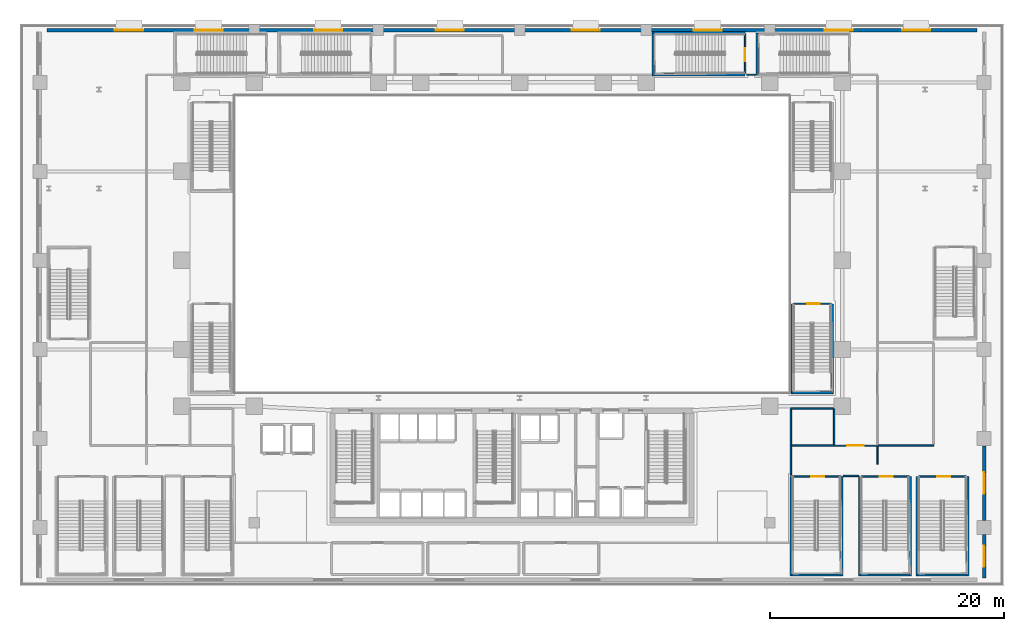
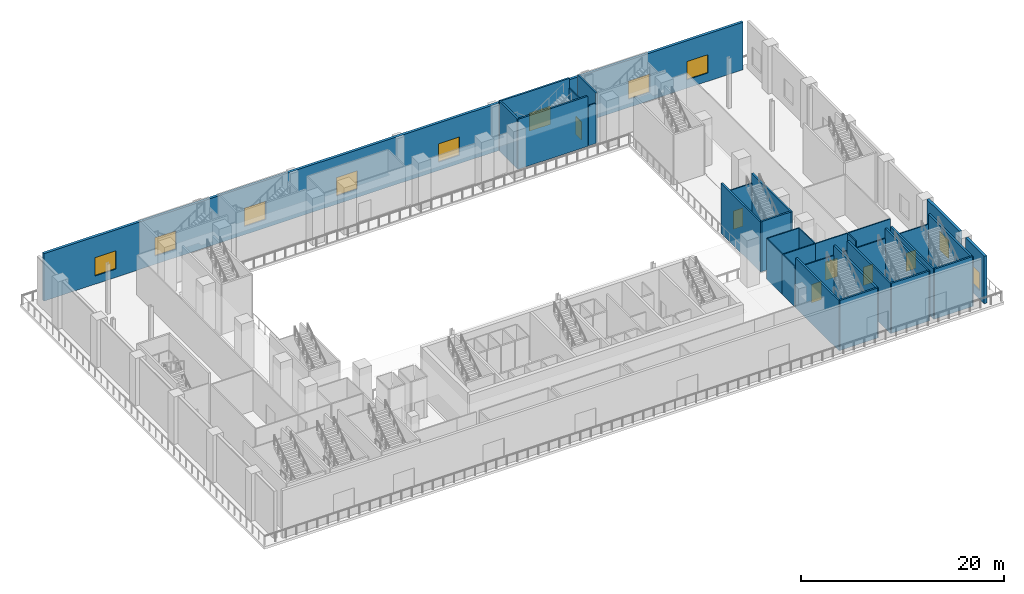
# One storey, part 11 of 29: 34 walls, 10 windows, 6 doors, 16 openings.
"""IFC4 building model written with IfcOpenShell, lengths in metres."""

from ifc_helpers import new_model, si_unit, direction, frame, frame_2d, origin, place, context, subcontext, project, spatial, rectangle, extrude, material, layer, layer_set, type_object, element, fill, save


model = new_model("IFC4")

# Units and contexts
model_context = context("Model", 3, precision=1e-05, world=origin(), true_north=direction((0.0, 1.0)))
body_context = subcontext(model_context, "Body", "Model", "MODEL_VIEW")
ifc_project = project(units=[si_unit("LENGTHUNIT", "METRE"), si_unit("AREAUNIT", "SQUARE_METRE"), si_unit("VOLUMEUNIT", "CUBIC_METRE"), si_unit("PLANEANGLEUNIT", "RADIAN"), si_unit("MASSUNIT", "GRAM", prefix="KILO")], contexts=[model_context])

# Site, building, storey
site_placement = place(None, origin())
site = spatial("IfcSite", under=ifc_project, at=site_placement, CompositionType="ELEMENT")
building_placement = place(site_placement, origin())
building = spatial("IfcBuilding", under=site, at=building_placement, Name="Ndaravel Arena Tower", CompositionType="ELEMENT")
storey_placement = place(building_placement, frame((0.0, 0.0, 12.0)))
storey = spatial("IfcBuildingStorey", under=building, at=storey_placement, Name="L02", CompositionType="ELEMENT", Elevation=12.0)

# Wall
ifc_material_1 = material(Name="Gypsum", Category="gypsum")
ifc_layer_1 = layer(ifc_material_1, 0.125)
ifc_layer_set_1 = layer_set([ifc_layer_1], Name="Gypsum")
wall_type_1 = type_object("IfcWallType", Name="WALL-PART-125", PredefinedType="PARTITIONING", material=ifc_layer_set_1)
wall_1_placement = place(storey_placement, frame((62.02001953125, 43.64990234375, 0.0), z_axis=(0.0, 0.0, 1.0), x_axis=(1.0, 0.0, 0.0)))
element("IfcWall", 1, at=wall_1_placement, inside=storey, type_object=wall_type_1, Name="L02 Interior Partition 020", PredefinedType="PARTITIONING", context=body_context, shape_type="SweptSolid", body=[
    extrude(rectangle(XDim=0.81005859375, YDim=0.125, at=frame_2d((0.405029296875, 0.0))), origin(), (0.0, 0.0, 1.0), 4.819091796875),
])

# Wall, opening, door
wall_2_placement = place(storey_placement, frame((73.135009765625, 12.0, 0.0), z_axis=(0.0, 0.0, 1.0), x_axis=(-1.0, 0.0, 0.0)))
wall_2 = element("IfcWall", 2, at=wall_2_placement, inside=storey, type_object=wall_type_1, Name="L02 Interior Partition 024", PredefinedType="PARTITIONING", context=body_context, shape_type="SweptSolid", body=[
    extrude(rectangle(XDim=3.635009765625, YDim=0.125, at=frame_2d((1.8173828125, 0.0))), origin(), (0.0, 0.0, 1.0), 4.819091796875),
])
opening_1_placement = place(wall_2_placement, frame((1.117431640625, 0.0, 0.0)))
opening_1 = element("IfcOpeningElement", 3, at=opening_1_placement, cuts=wall_2, Name="Opening ID-02", PredefinedType="OPENING", context=body_context, shape_type="SweptSolid", body=[
    extrude(rectangle(XDim=1.39990234375, YDim=2.199951171875, at=frame_2d((0.699951171875, 1.10009765625))), frame((0.0, 0.0625, 0.0), z_axis=(0.0, -1.0, 0.0), x_axis=(1.0, 0.0, 0.0)), (0.0, 0.0, 1.0), 0.125),
])
ifc_material_2 = material(Name="Timber", Category="wood")
door_type_1 = type_object("IfcDoorType", Name="DT-04-SUITE-1400", OperationType="DOUBLE_DOOR_SINGLE_SWING", PredefinedType="DOOR", material=ifc_material_2)
door_1_placement = place(opening_1_placement, origin())
door_1 = element("IfcDoor", 4, at=door_1_placement, inside=storey, type_object=door_type_1, Name="L02 Media Workroom & Press Conference Auditorium Door", OperationType="SINGLE_SWING_LEFT", OverallHeight=2.199951171875, OverallWidth=1.39990234375, PredefinedType="DOOR", context=body_context, shape_type="SweptSolid", body=[
    extrude(rectangle(XDim=1.39990234375, YDim=2.199951171875, at=frame_2d((0.699951171875, 1.10009765625))), frame((0.0, 0.02490234375, 0.0), z_axis=(0.0, -1.0, 0.0), x_axis=(1.0, 0.0, 0.0)), (0.0, 0.0, 1.0), 0.050048828125),
])
fill(opening_1, door_1)

# Walls
wall_3_placement = place(storey_placement, frame((69.5, 12.06494140625, 0.0), z_axis=(0.0, 0.0, 1.0), x_axis=(0.0, 1.0, 0.0)))
element("IfcWall", 5, at=wall_3_placement, inside=storey, type_object=wall_type_1, Name="L02 Interior Partition 025", PredefinedType="PARTITIONING", context=body_context, shape_type="SweptSolid", body=[
    extrude(rectangle(XDim=3.0849609375, YDim=0.125, at=frame_2d((1.54248046875, 0.0))), origin(), (0.0, 0.0, 1.0), 4.819091796875),
])
wall_4_placement = place(storey_placement, frame((69.43505859375, 15.14990234375, 0.0), z_axis=(0.0, 0.0, 1.0), x_axis=(-1.0, 0.0, 0.0)))
element("IfcWall", 6, at=wall_4_placement, inside=storey, type_object=wall_type_1, Name="L02 Interior Partition 026", PredefinedType="PARTITIONING", context=body_context, shape_type="SweptSolid", body=[
    extrude(rectangle(XDim=3.635009765625, YDim=0.125, at=frame_2d((1.8173828125, 0.0))), origin(), (0.0, 0.0, 1.0), 4.819091796875),
])
wall_5_placement = place(storey_placement, frame((65.800048828125, 15.0849609375, 0.0), z_axis=(0.0, 0.0, 1.0), x_axis=(0.0, -1.0, 0.0)))
element("IfcWall", 7, at=wall_5_placement, inside=storey, type_object=wall_type_1, Name="L02 Interior Partition 027", PredefinedType="PARTITIONING", context=body_context, shape_type="SweptSolid", body=[
    extrude(rectangle(XDim=3.0849609375, YDim=0.125, at=frame_2d((1.54248046875, 0.0))), origin(), (0.0, 0.0, 1.0), 4.819091796875),
])
wall_6_placement = place(storey_placement, frame((65.800048828125, 12.0, 0.0), z_axis=(0.0, 0.0, 1.0), x_axis=(0.0, -1.0, 0.0)))
element("IfcWall", 8, at=wall_6_placement, inside=storey, type_object=wall_type_1, Name="L02 Interior Partition 028", PredefinedType="PARTITIONING", context=body_context, shape_type="SweptSolid", body=[
    extrude(rectangle(XDim=2.530029296875, YDim=0.125, at=frame_2d((1.26513671875, 0.0))), origin(), (0.0, 0.0, 1.0), 4.819091796875),
])
wall_7_placement = place(storey_placement, frame((78.0, 12.0, 0.0), z_axis=(0.0, 0.0, 1.0), x_axis=(-1.0, 0.0, 0.0)))
element("IfcWall", 9, at=wall_7_placement, inside=storey, type_object=wall_type_1, Name="L02 Interior Partition 036", PredefinedType="PARTITIONING", context=body_context, shape_type="SweptSolid", body=[
    extrude(rectangle(XDim=4.735107421875, YDim=0.125, at=frame_2d((2.36767578125, 0.0))), origin(), (0.0, 0.0, 1.0), 4.819091796875),
])
wall_8_placement = place(storey_placement, frame((71.580078125, 9.39990234375, 0.0), z_axis=(0.0, 0.0, 1.0), x_axis=(-1.0, 0.0, 0.0)))
element("IfcWall", 10, at=wall_8_placement, inside=storey, type_object=wall_type_1, Name="L02 Interior Partition 042", PredefinedType="PARTITIONING", context=body_context, shape_type="SweptSolid", body=[
    extrude(rectangle(XDim=1.31005859375, YDim=0.125, at=frame_2d((0.655029296875, 0.0))), origin(), (0.0, 0.0, 1.0), 4.819091796875),
])
wall_9_placement = place(storey_placement, frame((65.864990234375, 12.0, 0.0), z_axis=(0.0, 0.0, 1.0), x_axis=(1.0, 0.0, 0.0)))
element("IfcWall", 11, at=wall_9_placement, inside=storey, type_object=wall_type_1, Name="L02 Interior Partition 043", PredefinedType="PARTITIONING", context=body_context, shape_type="SweptSolid", body=[
    extrude(rectangle(XDim=3.635009765625, YDim=0.125, at=frame_2d((1.8173828125, 0.0))), origin(), (0.0, 0.0, 1.0), 4.819091796875),
])
wall_10_placement = place(storey_placement, frame((73.199951171875, 12.0, 0.0), z_axis=(0.0, 0.0, 1.0), x_axis=(0.0, -1.0, 0.0)))
element("IfcWall", 12, at=wall_10_placement, inside=storey, type_object=wall_type_1, Name="L02 Interior Partition 044", PredefinedType="PARTITIONING", context=body_context, shape_type="SweptSolid", body=[
    extrude(rectangle(XDim=1.60009765625, YDim=0.125, at=frame_2d((0.800048828125, 0.0))), origin(), (0.0, 0.0, 1.0), 4.819091796875),
])

# Wall, openings, windows
ifc_material_3 = material(Name="Masonry", Category="masonry")
ifc_layer_2 = layer(ifc_material_3, 0.300048828125)
ifc_layer_set_2 = layer_set([ifc_layer_2], Name="Masonry")
wall_type_2 = type_object("IfcWallType", Name="WALL-POD-MAZERAS-300", PredefinedType="SOLIDWALL", material=ifc_layer_set_2)
wall_11_placement = place(storey_placement, frame((2.300048828125, 47.449951171875, 0.0), z_axis=(0.0, 0.0, 1.0), x_axis=(1.0, 0.0, 0.0)))
wall_11 = element("IfcWall", 13, at=wall_11_placement, inside=storey, type_object=wall_type_2, Name="L02 North Mazeras Facade Wall", PredefinedType="SOLIDWALL", context=body_context, shape_type="SweptSolid", body=[
    extrude(rectangle(XDim=79.39990234375, YDim=0.300048828125, at=frame_2d((39.699951171875, 0.0))), origin(), (0.0, 0.0, 1.0), 5.699951171875),
])
opening_2_placement = place(wall_11_placement, frame((5.800048828125, 0.0, 1.0)))
opening_2 = element("IfcOpeningElement", 14, at=opening_2_placement, cuts=wall_11, Name="Opening W-PD1", PredefinedType="OPENING", context=body_context, shape_type="SweptSolid", body=[
    extrude(rectangle(XDim=2.39990234375, YDim=2.199951171875, at=frame_2d((1.199951171875, 1.10009765625))), frame((0.0, 0.14990234375, 0.0), z_axis=(0.0, -1.0, 0.0), x_axis=(1.0, 0.0, 0.0)), (0.0, 0.0, 1.0), 0.300048828125),
])
opening_3_placement = place(wall_11_placement, frame((12.60009765625, 0.0, 1.0)))
opening_3 = element("IfcOpeningElement", 15, at=opening_3_placement, cuts=wall_11, Name="Opening W-PD1", PredefinedType="OPENING", context=body_context, shape_type="SweptSolid", body=[
    extrude(rectangle(XDim=2.39990234375, YDim=2.199951171875, at=frame_2d((1.199951171875, 1.10009765625))), frame((0.0, 0.14990234375, 0.0), z_axis=(0.0, -1.0, 0.0), x_axis=(1.0, 0.0, 0.0)), (0.0, 0.0, 1.0), 0.300048828125),
])
opening_4_placement = place(wall_11_placement, frame((22.800048828125, 0.0, 1.0)))
opening_4 = element("IfcOpeningElement", 16, at=opening_4_placement, cuts=wall_11, Name="Opening W-PD1", PredefinedType="OPENING", context=body_context, shape_type="SweptSolid", body=[
    extrude(rectangle(XDim=2.39990234375, YDim=2.199951171875, at=frame_2d((1.199951171875, 1.10009765625))), frame((0.0, 0.14990234375, 0.0), z_axis=(0.0, -1.0, 0.0), x_axis=(1.0, 0.0, 0.0)), (0.0, 0.0, 1.0), 0.300048828125),
])
opening_5_placement = place(wall_11_placement, frame((33.199951171875, 0.0, 1.0)))
opening_5 = element("IfcOpeningElement", 17, at=opening_5_placement, cuts=wall_11, Name="Opening W-PD1", PredefinedType="OPENING", context=body_context, shape_type="SweptSolid", body=[
    extrude(rectangle(XDim=2.39990234375, YDim=2.199951171875, at=frame_2d((1.199951171875, 1.10009765625))), frame((0.0, 0.14990234375, 0.0), z_axis=(0.0, -1.0, 0.0), x_axis=(1.0, 0.0, 0.0)), (0.0, 0.0, 1.0), 0.300048828125),
])
opening_6_placement = place(wall_11_placement, frame((44.800048828125, 0.0, 1.0)))
opening_6 = element("IfcOpeningElement", 18, at=opening_6_placement, cuts=wall_11, Name="Opening W-PD1", PredefinedType="OPENING", context=body_context, shape_type="SweptSolid", body=[
    extrude(rectangle(XDim=2.39990234375, YDim=2.199951171875, at=frame_2d((1.199951171875, 1.10009765625))), frame((0.0, 0.14990234375, 0.0), z_axis=(0.0, -1.0, 0.0), x_axis=(1.0, 0.0, 0.0)), (0.0, 0.0, 1.0), 0.300048828125),
])
opening_7_placement = place(wall_11_placement, frame((55.199951171875, 0.0, 1.0)))
opening_7 = element("IfcOpeningElement", 19, at=opening_7_placement, cuts=wall_11, Name="Opening W-PD1", PredefinedType="OPENING", context=body_context, shape_type="SweptSolid", body=[
    extrude(rectangle(XDim=2.39990234375, YDim=2.199951171875, at=frame_2d((1.199951171875, 1.10009765625))), frame((0.0, 0.14990234375, 0.0), z_axis=(0.0, -1.0, 0.0), x_axis=(1.0, 0.0, 0.0)), (0.0, 0.0, 1.0), 0.300048828125),
])
opening_8_placement = place(wall_11_placement, frame((66.39990234375, 0.0, 1.0)))
opening_8 = element("IfcOpeningElement", 20, at=opening_8_placement, cuts=wall_11, Name="Opening W-PD1", PredefinedType="OPENING", context=body_context, shape_type="SweptSolid", body=[
    extrude(rectangle(XDim=2.39990234375, YDim=2.199951171875, at=frame_2d((1.199951171875, 1.10009765625))), frame((0.0, 0.14990234375, 0.0), z_axis=(0.0, -1.0, 0.0), x_axis=(1.0, 0.0, 0.0)), (0.0, 0.0, 1.0), 0.300048828125),
])
opening_9_placement = place(wall_11_placement, frame((73.0, 0.0, 1.0)))
opening_9 = element("IfcOpeningElement", 21, at=opening_9_placement, cuts=wall_11, Name="Opening W-PD1", PredefinedType="OPENING", context=body_context, shape_type="SweptSolid", body=[
    extrude(rectangle(XDim=2.39990234375, YDim=2.199951171875, at=frame_2d((1.199951171875, 1.10009765625))), frame((0.0, 0.14990234375, 0.0), z_axis=(0.0, -1.0, 0.0), x_axis=(1.0, 0.0, 0.0)), (0.0, 0.0, 1.0), 0.300048828125),
])
ifc_material_4 = material(Name="Glazing", Category="glass")
window_type_1 = type_object("IfcWindowType", Name="WIN-POD-2400", PartitioningType="SINGLE_PANEL", PredefinedType="WINDOW", material=ifc_material_4)
window_1_placement = place(opening_2_placement, origin())
window_1 = element("IfcWindow", 22, at=window_1_placement, inside=storey, type_object=window_type_1, Name="L02 North Ribbon Window 01", OverallHeight=2.199951171875, OverallWidth=2.39990234375, PartitioningType="SINGLE_PANEL", PredefinedType="WINDOW", context=body_context, shape_type="SweptSolid", body=[
    extrude(rectangle(XDim=2.39990234375, YDim=2.199951171875, at=frame_2d((1.199951171875, 1.10009765625))), frame((0.0, 0.030029296875, 0.0), z_axis=(0.0, -1.0, 0.0), x_axis=(1.0, 0.0, 0.0)), (0.0, 0.0, 1.0), 0.06005859375),
])
fill(opening_2, window_1)
window_2_placement = place(opening_3_placement, origin())
window_2 = element("IfcWindow", 23, at=window_2_placement, inside=storey, type_object=window_type_1, Name="L02 North Ribbon Window 02", OverallHeight=2.199951171875, OverallWidth=2.39990234375, PartitioningType="SINGLE_PANEL", PredefinedType="WINDOW", context=body_context, shape_type="SweptSolid", body=[
    extrude(rectangle(XDim=2.39990234375, YDim=2.199951171875, at=frame_2d((1.199951171875, 1.10009765625))), frame((0.0, 0.030029296875, 0.0), z_axis=(0.0, -1.0, 0.0), x_axis=(1.0, 0.0, 0.0)), (0.0, 0.0, 1.0), 0.06005859375),
])
fill(opening_3, window_2)
window_3_placement = place(opening_4_placement, origin())
window_3 = element("IfcWindow", 24, at=window_3_placement, inside=storey, type_object=window_type_1, Name="L02 North Ribbon Window 03", OverallHeight=2.199951171875, OverallWidth=2.39990234375, PartitioningType="SINGLE_PANEL", PredefinedType="WINDOW", context=body_context, shape_type="SweptSolid", body=[
    extrude(rectangle(XDim=2.39990234375, YDim=2.199951171875, at=frame_2d((1.199951171875, 1.10009765625))), frame((0.0, 0.030029296875, 0.0), z_axis=(0.0, -1.0, 0.0), x_axis=(1.0, 0.0, 0.0)), (0.0, 0.0, 1.0), 0.06005859375),
])
fill(opening_4, window_3)
window_4_placement = place(opening_5_placement, origin())
window_4 = element("IfcWindow", 25, at=window_4_placement, inside=storey, type_object=window_type_1, Name="L02 North Ribbon Window 04", OverallHeight=2.199951171875, OverallWidth=2.39990234375, PartitioningType="SINGLE_PANEL", PredefinedType="WINDOW", context=body_context, shape_type="SweptSolid", body=[
    extrude(rectangle(XDim=2.39990234375, YDim=2.199951171875, at=frame_2d((1.199951171875, 1.10009765625))), frame((0.0, 0.030029296875, 0.0), z_axis=(0.0, -1.0, 0.0), x_axis=(1.0, 0.0, 0.0)), (0.0, 0.0, 1.0), 0.06005859375),
])
fill(opening_5, window_4)
window_5_placement = place(opening_6_placement, origin())
window_5 = element("IfcWindow", 26, at=window_5_placement, inside=storey, type_object=window_type_1, Name="L02 North Ribbon Window 05", OverallHeight=2.199951171875, OverallWidth=2.39990234375, PartitioningType="SINGLE_PANEL", PredefinedType="WINDOW", context=body_context, shape_type="SweptSolid", body=[
    extrude(rectangle(XDim=2.39990234375, YDim=2.199951171875, at=frame_2d((1.199951171875, 1.10009765625))), frame((0.0, 0.030029296875, 0.0), z_axis=(0.0, -1.0, 0.0), x_axis=(1.0, 0.0, 0.0)), (0.0, 0.0, 1.0), 0.06005859375),
])
fill(opening_6, window_5)
window_6_placement = place(opening_7_placement, origin())
window_6 = element("IfcWindow", 27, at=window_6_placement, inside=storey, type_object=window_type_1, Name="L02 North Ribbon Window 06", OverallHeight=2.199951171875, OverallWidth=2.39990234375, PartitioningType="SINGLE_PANEL", PredefinedType="WINDOW", context=body_context, shape_type="SweptSolid", body=[
    extrude(rectangle(XDim=2.39990234375, YDim=2.199951171875, at=frame_2d((1.199951171875, 1.10009765625))), frame((0.0, 0.030029296875, 0.0), z_axis=(0.0, -1.0, 0.0), x_axis=(1.0, 0.0, 0.0)), (0.0, 0.0, 1.0), 0.06005859375),
])
fill(opening_7, window_6)
window_7_placement = place(opening_8_placement, origin())
window_7 = element("IfcWindow", 28, at=window_7_placement, inside=storey, type_object=window_type_1, Name="L02 North Ribbon Window 07", OverallHeight=2.199951171875, OverallWidth=2.39990234375, PartitioningType="SINGLE_PANEL", PredefinedType="WINDOW", context=body_context, shape_type="SweptSolid", body=[
    extrude(rectangle(XDim=2.39990234375, YDim=2.199951171875, at=frame_2d((1.199951171875, 1.10009765625))), frame((0.0, 0.030029296875, 0.0), z_axis=(0.0, -1.0, 0.0), x_axis=(1.0, 0.0, 0.0)), (0.0, 0.0, 1.0), 0.06005859375),
])
fill(opening_8, window_7)
window_8_placement = place(opening_9_placement, origin())
window_8 = element("IfcWindow", 29, at=window_8_placement, inside=storey, type_object=window_type_1, Name="L02 North Ribbon Window 08", OverallHeight=2.199951171875, OverallWidth=2.39990234375, PartitioningType="SINGLE_PANEL", PredefinedType="WINDOW", context=body_context, shape_type="SweptSolid", body=[
    extrude(rectangle(XDim=2.39990234375, YDim=2.199951171875, at=frame_2d((1.199951171875, 1.10009765625))), frame((0.0, 0.030029296875, 0.0), z_axis=(0.0, -1.0, 0.0), x_axis=(1.0, 0.0, 0.0)), (0.0, 0.0, 1.0), 0.06005859375),
])
fill(opening_9, window_8)

# Wall, opening, window
wall_12_placement = place(storey_placement, frame((82.300048828125, 4.39990234375, 0.0), z_axis=(0.0, 0.0, 1.0), x_axis=(0.0, -1.0, 0.0)))
wall_12 = element("IfcWall", 30, at=wall_12_placement, inside=storey, type_object=wall_type_2, Name="L02 East Mazeras Bay 1", PredefinedType="SOLIDWALL", context=body_context, shape_type="SweptSolid", body=[
    extrude(rectangle(XDim=3.699951171875, YDim=0.300048828125, at=frame_2d((1.85009765625, 0.0))), origin(), (0.0, 0.0, 1.0), 5.699951171875),
])
opening_10_placement = place(wall_12_placement, frame((0.949951171875, 0.0, 1.0)))
opening_10 = element("IfcOpeningElement", 31, at=opening_10_placement, cuts=wall_12, Name="Opening W-PD2", PredefinedType="OPENING", context=body_context, shape_type="SweptSolid", body=[
    extrude(rectangle(XDim=1.800048828125, YDim=2.199951171875, at=frame_2d((0.89990234375, 1.10009765625))), frame((0.0, 0.14990234375, 0.0), z_axis=(0.0, -1.0, 0.0), x_axis=(1.0, 0.0, 0.0)), (0.0, 0.0, 1.0), 0.300048828125),
])
ifc_material_5 = material(Name="Glazing", Category="glass")
window_type_2 = type_object("IfcWindowType", Name="WIN-POD-1800", PartitioningType="SINGLE_PANEL", PredefinedType="WINDOW", material=ifc_material_5)
window_9_placement = place(opening_10_placement, origin())
window_9 = element("IfcWindow", 32, at=window_9_placement, inside=storey, type_object=window_type_2, Name="L02 East Mazeras Window 1", OverallHeight=2.199951171875, OverallWidth=1.800048828125, PartitioningType="SINGLE_PANEL", PredefinedType="WINDOW", context=body_context, shape_type="SweptSolid", body=[
    extrude(rectangle(XDim=1.800048828125, YDim=2.199951171875, at=frame_2d((0.89990234375, 1.10009765625))), frame((0.0, 0.030029296875, 0.0), z_axis=(0.0, -1.0, 0.0), x_axis=(1.0, 0.0, 0.0)), (0.0, 0.0, 1.0), 0.06005859375),
])
fill(opening_10, window_9)

wall_13_placement = place(storey_placement, frame((82.300048828125, 11.97998046875, 0.0), z_axis=(0.0, 0.0, 1.0), x_axis=(0.0, -1.0, 0.0)))
wall_13 = element("IfcWall", 33, at=wall_13_placement, inside=storey, type_object=wall_type_2, Name="L02 East Mazeras Bay 2", PredefinedType="SOLIDWALL", context=body_context, shape_type="SweptSolid", body=[
    extrude(rectangle(XDim=6.35986328125, YDim=0.300048828125, at=frame_2d((3.179931640625, 0.0))), origin(), (0.0, 0.0, 1.0), 5.699951171875),
])
opening_11_placement = place(wall_13_placement, frame((2.280029296875, 0.0, 1.0)))
opening_11 = element("IfcOpeningElement", 34, at=opening_11_placement, cuts=wall_13, Name="Opening W-PD2", PredefinedType="OPENING", context=body_context, shape_type="SweptSolid", body=[
    extrude(rectangle(XDim=1.800048828125, YDim=2.199951171875, at=frame_2d((0.89990234375, 1.10009765625))), frame((0.0, 0.14990234375, 0.0), z_axis=(0.0, -1.0, 0.0), x_axis=(1.0, 0.0, 0.0)), (0.0, 0.0, 1.0), 0.300048828125),
])
window_10_placement = place(opening_11_placement, origin())
window_10 = element("IfcWindow", 35, at=window_10_placement, inside=storey, type_object=window_type_2, Name="L02 East Mazeras Window 2", OverallHeight=2.199951171875, OverallWidth=1.800048828125, PartitioningType="SINGLE_PANEL", PredefinedType="WINDOW", context=body_context, shape_type="SweptSolid", body=[
    extrude(rectangle(XDim=1.800048828125, YDim=2.199951171875, at=frame_2d((0.89990234375, 1.10009765625))), frame((0.0, 0.030029296875, 0.0), z_axis=(0.0, -1.0, 0.0), x_axis=(1.0, 0.0, 0.0)), (0.0, 0.0, 1.0), 0.06005859375),
])
fill(opening_11, window_10)

# Wall, opening, door
ifc_material_6 = material(Name="Concrete C40/50", Category="concrete")
ifc_layer_3 = layer(ifc_material_6, 0.1201171875)
ifc_layer_set_3 = layer_set([ifc_layer_3], Name="Concrete C40/50")
wall_type_3 = type_object("IfcWallType", Name="WALL-SHAFT-120", PredefinedType="SOLIDWALL", material=ifc_layer_set_3)
wall_14_placement = place(storey_placement, frame((65.955078125, 9.35009765625, 0.0), z_axis=(0.0, 0.0, 1.0), x_axis=(1.0, 0.0, 0.0)))
wall_14 = element("IfcWall", 36, at=wall_14_placement, inside=storey, type_object=wall_type_3, Name="L02 ST-A04 Entry Wall", PredefinedType="SOLIDWALL", context=body_context, shape_type="SweptSolid", body=[
    extrude(rectangle(XDim=4.08984375, YDim=0.1201171875, at=frame_2d((2.044921875, 0.0))), origin(), (0.0, 0.0, 1.0), 4.819091796875),
])
opening_12_placement = place(wall_14_placement, frame((1.60009765625, 0.0, 0.0)))
opening_12 = element("IfcOpeningElement", 37, at=opening_12_placement, cuts=wall_14, Name="Opening FD-01", PredefinedType="OPENING", context=body_context, shape_type="SweptSolid", body=[
    extrude(rectangle(XDim=1.10009765625, YDim=2.199951171875, at=frame_2d((0.550048828125, 1.10009765625))), frame((0.0, 0.06005859375, 0.0), z_axis=(0.0, -1.0, 0.0), x_axis=(1.0, 0.0, 0.0)), (0.0, 0.0, 1.0), 0.1201171875),
])
ifc_material_7 = material(Name="Steel S355", Category="steel")
door_type_2 = type_object("IfcDoorType", Name="DT-01-STAIR-1100", OperationType="SINGLE_SWING_LEFT", PredefinedType="DOOR", material=ifc_material_7)
door_2_placement = place(opening_12_placement, origin())
door_2 = element("IfcDoor", 38, at=door_2_placement, inside=storey, type_object=door_type_2, Name="L02 ST-A04 Fire Exit Stair Door", OperationType="SINGLE_SWING_LEFT", OverallHeight=2.199951171875, OverallWidth=1.10009765625, PredefinedType="DOOR", context=body_context, shape_type="SweptSolid", body=[
    extrude(rectangle(XDim=1.10009765625, YDim=2.199951171875, at=frame_2d((0.550048828125, 1.10009765625))), frame((0.0, 0.02490234375, 0.0), z_axis=(0.0, -1.0, 0.0), x_axis=(1.0, 0.0, 0.0)), (0.0, 0.0, 1.0), 0.050048828125),
])
fill(opening_12, door_2)

wall_15_placement = place(storey_placement, frame((71.804931640625, 9.35009765625, 0.0), z_axis=(0.0, 0.0, 1.0), x_axis=(1.0, 0.0, 0.0)))
wall_15 = element("IfcWall", 39, at=wall_15_placement, inside=storey, type_object=wall_type_3, Name="L02 ST-A05 Entry Wall", PredefinedType="SOLIDWALL", context=body_context, shape_type="SweptSolid", body=[
    extrude(rectangle(XDim=4.090087890625, YDim=0.1201171875, at=frame_2d((2.044921875, 0.0))), origin(), (0.0, 0.0, 1.0), 4.819091796875),
])
opening_13_placement = place(wall_15_placement, frame((1.60009765625, 0.0, 0.0)))
opening_13 = element("IfcOpeningElement", 40, at=opening_13_placement, cuts=wall_15, Name="Opening FD-01", PredefinedType="OPENING", context=body_context, shape_type="SweptSolid", body=[
    extrude(rectangle(XDim=1.10009765625, YDim=2.199951171875, at=frame_2d((0.550048828125, 1.10009765625))), frame((0.0, 0.06005859375, 0.0), z_axis=(0.0, -1.0, 0.0), x_axis=(1.0, 0.0, 0.0)), (0.0, 0.0, 1.0), 0.1201171875),
])
door_3_placement = place(opening_13_placement, origin())
door_3 = element("IfcDoor", 41, at=door_3_placement, inside=storey, type_object=door_type_2, Name="L02 ST-A05 Fire Exit Stair Door", OperationType="SINGLE_SWING_LEFT", OverallHeight=2.199951171875, OverallWidth=1.10009765625, PredefinedType="DOOR", context=body_context, shape_type="SweptSolid", body=[
    extrude(rectangle(XDim=1.10009765625, YDim=2.199951171875, at=frame_2d((0.550048828125, 1.10009765625))), frame((0.0, 0.02490234375, 0.0), z_axis=(0.0, -1.0, 0.0), x_axis=(1.0, 0.0, 0.0)), (0.0, 0.0, 1.0), 0.050048828125),
])
fill(opening_13, door_3)

wall_16_placement = place(storey_placement, frame((76.705078125, 9.35009765625, 0.0), z_axis=(0.0, 0.0, 1.0), x_axis=(1.0, 0.0, 0.0)))
wall_16 = element("IfcWall", 42, at=wall_16_placement, inside=storey, type_object=wall_type_3, Name="L02 ST-A06 Entry Wall", PredefinedType="SOLIDWALL", context=body_context, shape_type="SweptSolid", body=[
    extrude(rectangle(XDim=4.08984375, YDim=0.1201171875, at=frame_2d((2.044921875, 0.0))), origin(), (0.0, 0.0, 1.0), 4.819091796875),
])
opening_14_placement = place(wall_16_placement, frame((1.60009765625, 0.0, 0.0)))
opening_14 = element("IfcOpeningElement", 43, at=opening_14_placement, cuts=wall_16, Name="Opening FD-01", PredefinedType="OPENING", context=body_context, shape_type="SweptSolid", body=[
    extrude(rectangle(XDim=1.10009765625, YDim=2.199951171875, at=frame_2d((0.550048828125, 1.10009765625))), frame((0.0, 0.06005859375, 0.0), z_axis=(0.0, -1.0, 0.0), x_axis=(1.0, 0.0, 0.0)), (0.0, 0.0, 1.0), 0.1201171875),
])
door_4_placement = place(opening_14_placement, origin())
door_4 = element("IfcDoor", 44, at=door_4_placement, inside=storey, type_object=door_type_2, Name="L02 ST-A06 Fire Exit Stair Door", OperationType="SINGLE_SWING_LEFT", OverallHeight=2.199951171875, OverallWidth=1.10009765625, PredefinedType="DOOR", context=body_context, shape_type="SweptSolid", body=[
    extrude(rectangle(XDim=1.10009765625, YDim=2.199951171875, at=frame_2d((0.550048828125, 1.10009765625))), frame((0.0, 0.02490234375, 0.0), z_axis=(0.0, -1.0, 0.0), x_axis=(1.0, 0.0, 0.0)), (0.0, 0.0, 1.0), 0.050048828125),
])
fill(opening_14, door_4)

wall_17_placement = place(storey_placement, frame((61.89990234375, 47.135009765625, 0.0), z_axis=(0.0, 0.0, 1.0), x_axis=(0.0, -1.0, 0.0)))
wall_17 = element("IfcWall", 45, at=wall_17_placement, inside=storey, type_object=wall_type_3, Name="L02 ST-A10 Entry Wall", PredefinedType="SOLIDWALL", context=body_context, shape_type="SweptSolid", body=[
    extrude(rectangle(XDim=3.3701171875, YDim=0.1201171875, at=frame_2d((1.68505859375, 0.0))), origin(), (0.0, 0.0, 1.0), 4.819091796875),
])
opening_15_placement = place(wall_17_placement, frame((1.239990234375, 0.0, 0.0)))
opening_15 = element("IfcOpeningElement", 46, at=opening_15_placement, cuts=wall_17, Name="Opening FD-01", PredefinedType="OPENING", context=body_context, shape_type="SweptSolid", body=[
    extrude(rectangle(XDim=1.10009765625, YDim=2.199951171875, at=frame_2d((0.550048828125, 1.10009765625))), frame((0.0, 0.06005859375, 0.0), z_axis=(0.0, -1.0, 0.0), x_axis=(1.0, 0.0, 0.0)), (0.0, 0.0, 1.0), 0.1201171875),
])
door_5_placement = place(opening_15_placement, origin())
door_5 = element("IfcDoor", 47, at=door_5_placement, inside=storey, type_object=door_type_2, Name="L02 ST-A10 Fire Exit Stair Door", OperationType="SINGLE_SWING_LEFT", OverallHeight=2.199951171875, OverallWidth=1.10009765625, PredefinedType="DOOR", context=body_context, shape_type="SweptSolid", body=[
    extrude(rectangle(XDim=1.10009765625, YDim=2.199951171875, at=frame_2d((0.550048828125, 1.10009765625))), frame((0.0, 0.02490234375, 0.0), z_axis=(0.0, -1.0, 0.0), x_axis=(1.0, 0.0, 0.0)), (0.0, 0.0, 1.0), 0.050048828125),
])
fill(opening_15, door_5)

wall_18_placement = place(storey_placement, frame((66.0048828125, 24.10009765625, 0.0), z_axis=(0.0, 0.0, 1.0), x_axis=(1.0, 0.0, 0.0)))
wall_18 = element("IfcWall", 48, at=wall_18_placement, inside=storey, type_object=wall_type_3, Name="L02 ST-VOM-3 Entry Wall", PredefinedType="SOLIDWALL", context=body_context, shape_type="SweptSolid", body=[
    extrude(rectangle(XDim=3.25, YDim=0.1201171875, at=frame_2d((1.625, 0.0))), origin(), (0.0, 0.0, 1.0), 4.819091796875),
])
opening_16_placement = place(wall_18_placement, frame((1.179931640625, 0.0, 0.0)))
opening_16 = element("IfcOpeningElement", 49, at=opening_16_placement, cuts=wall_18, Name="Opening FD-01", PredefinedType="OPENING", context=body_context, shape_type="SweptSolid", body=[
    extrude(rectangle(XDim=1.10009765625, YDim=2.199951171875, at=frame_2d((0.550048828125, 1.10009765625))), frame((0.0, 0.06005859375, 0.0), z_axis=(0.0, -1.0, 0.0), x_axis=(1.0, 0.0, 0.0)), (0.0, 0.0, 1.0), 0.1201171875),
])
door_6_placement = place(opening_16_placement, origin())
door_6 = element("IfcDoor", 50, at=door_6_placement, inside=storey, type_object=door_type_2, Name="L02 ST-VOM-3 Fire Exit Stair Door", OperationType="SINGLE_SWING_LEFT", OverallHeight=2.199951171875, OverallWidth=1.10009765625, PredefinedType="DOOR", context=body_context, shape_type="SweptSolid", body=[
    extrude(rectangle(XDim=1.10009765625, YDim=2.199951171875, at=frame_2d((0.550048828125, 1.10009765625))), frame((0.0, 0.02490234375, 0.0), z_axis=(0.0, -1.0, 0.0), x_axis=(1.0, 0.0, 0.0)), (0.0, 0.0, 1.0), 0.050048828125),
])
fill(opening_16, door_6)

# Walls
ifc_material_8 = material(Name="Concrete C40/50", Category="concrete")
ifc_layer_4 = layer(ifc_material_8, 0.199951171875)
ifc_layer_set_4 = layer_set([ifc_layer_4], Name="Concrete C40/50")
wall_type_4 = type_object("IfcWallType", Name="WALL-SHAFT-200", PredefinedType="SOLIDWALL", material=ifc_layer_set_4)
for number, where, z_axis, x_axis, name in (
    (51, (65.85009765625, 9.35009765625, 0.0), (0.0, 0.0, 1.0), (0.0, -1.0, 0.0), "L02 ST-A04 Shaft Wall Left"),
    (52, (70.14990234375, 9.35009765625, 0.0), (0.0, 0.0, 1.0), (0.0, -1.0, 0.0), "L02 ST-A04 Shaft Wall Right"),
):
    element("IfcWall", number, at=place(storey_placement, frame(where, z_axis=z_axis, x_axis=x_axis)), inside=storey, type_object=wall_type_4, Name=name, PredefinedType="SOLIDWALL", context=body_context, shape_type="SweptSolid", body=[
        extrude(rectangle(XDim=8.5, YDim=0.199951171875, at=frame_2d((4.25, 0.0))), origin(), (0.0, 0.0, 1.0), 6.0),
    ])
wall_19_placement = place(storey_placement, frame((65.860107421875, 0.949951171875, 0.0), z_axis=(0.0, 0.0, 1.0), x_axis=(1.0, 0.0, 0.0)))
element("IfcWall", 53, at=wall_19_placement, inside=storey, type_object=wall_type_4, Name="L02 ST-A04 Shaft Wall Far", PredefinedType="SOLIDWALL", context=body_context, shape_type="SweptSolid", body=[
    extrude(rectangle(XDim=4.27978515625, YDim=0.199951171875, at=frame_2d((2.139892578125, 0.0))), origin(), (0.0, 0.0, 1.0), 6.0),
])
for number, where, z_axis, x_axis, name in (
    (54, (71.699951171875, 9.35009765625, 0.0), (0.0, 0.0, 1.0), (0.0, -1.0, 0.0), "L02 ST-A05 Shaft Wall Left"),
    (55, (76.0, 9.35009765625, 0.0), (0.0, 0.0, 1.0), (0.0, -1.0, 0.0), "L02 ST-A05 Shaft Wall Right"),
):
    element("IfcWall", number, at=place(storey_placement, frame(where, z_axis=z_axis, x_axis=x_axis)), inside=storey, type_object=wall_type_4, Name=name, PredefinedType="SOLIDWALL", context=body_context, shape_type="SweptSolid", body=[
        extrude(rectangle(XDim=8.5, YDim=0.199951171875, at=frame_2d((4.25, 0.0))), origin(), (0.0, 0.0, 1.0), 6.0),
    ])
wall_20_placement = place(storey_placement, frame((71.7099609375, 0.949951171875, 0.0), z_axis=(0.0, 0.0, 1.0), x_axis=(1.0, 0.0, 0.0)))
element("IfcWall", 56, at=wall_20_placement, inside=storey, type_object=wall_type_4, Name="L02 ST-A05 Shaft Wall Far", PredefinedType="SOLIDWALL", context=body_context, shape_type="SweptSolid", body=[
    extrude(rectangle(XDim=4.280029296875, YDim=0.199951171875, at=frame_2d((2.14013671875, 0.0))), origin(), (0.0, 0.0, 1.0), 6.0),
])
for number, where, z_axis, x_axis, name in (
    (57, (76.60009765625, 9.35009765625, 0.0), (0.0, 0.0, 1.0), (0.0, -1.0, 0.0), "L02 ST-A06 Shaft Wall Left"),
    (58, (80.89990234375, 9.35009765625, 0.0), (0.0, 0.0, 1.0), (0.0, -1.0, 0.0), "L02 ST-A06 Shaft Wall Right"),
):
    element("IfcWall", number, at=place(storey_placement, frame(where, z_axis=z_axis, x_axis=x_axis)), inside=storey, type_object=wall_type_4, Name=name, PredefinedType="SOLIDWALL", context=body_context, shape_type="SweptSolid", body=[
        extrude(rectangle(XDim=8.5, YDim=0.199951171875, at=frame_2d((4.25, 0.0))), origin(), (0.0, 0.0, 1.0), 6.0),
    ])
wall_21_placement = place(storey_placement, frame((76.610107421875, 0.949951171875, 0.0), z_axis=(0.0, 0.0, 1.0), x_axis=(1.0, 0.0, 0.0)))
element("IfcWall", 59, at=wall_21_placement, inside=storey, type_object=wall_type_4, Name="L02 ST-A06 Shaft Wall Far", PredefinedType="SOLIDWALL", context=body_context, shape_type="SweptSolid", body=[
    extrude(rectangle(XDim=4.27978515625, YDim=0.199951171875, at=frame_2d((2.139892578125, 0.0))), origin(), (0.0, 0.0, 1.0), 6.0),
])
for number, where, z_axis, x_axis, name in (
    (60, (61.89990234375, 47.239990234375, 0.0), (0.0, 0.0, 1.0), (-1.0, 0.0, 0.0), "L02 ST-A10 Shaft Wall Left"),
    (61, (61.89990234375, 43.659912109375, 0.0), (0.0, 0.0, 1.0), (-1.0, 0.0, 0.0), "L02 ST-A10 Shaft Wall Right"),
):
    element("IfcWall", number, at=place(storey_placement, frame(where, z_axis=z_axis, x_axis=x_axis)), inside=storey, type_object=wall_type_4, Name=name, PredefinedType="SOLIDWALL", context=body_context, shape_type="SweptSolid", body=[
        extrude(rectangle(XDim=7.949951171875, YDim=0.199951171875, at=frame_2d((3.97509765625, 0.0))), origin(), (0.0, 0.0, 1.0), 6.0),
    ])
for number, where, z_axis, x_axis, name in (
    (62, (54.050048828125, 47.22998046875, 0.0), (0.0, 0.0, 1.0), (0.0, -1.0, 0.0), "L02 ST-A10 Shaft Wall Far"),
    (63, (62.949951171875, 47.22998046875, 0.0), (0.0, 0.0, 1.0), (0.0, -1.0, 0.0), "L02 ST-A11 Shaft Wall Far"),
):
    element("IfcWall", number, at=place(storey_placement, frame(where, z_axis=z_axis, x_axis=x_axis)), inside=storey, type_object=wall_type_4, Name=name, PredefinedType="SOLIDWALL", context=body_context, shape_type="SweptSolid", body=[
        extrude(rectangle(XDim=3.56005859375, YDim=0.199951171875, at=frame_2d((1.780029296875, 0.0))), origin(), (0.0, 0.0, 1.0), 6.0),
    ])
for number, where, z_axis, x_axis, name in (
    (64, (65.89990234375, 24.10009765625, 0.0), (0.0, 0.0, 1.0), (0.0, -1.0, 0.0), "L02 ST-VOM-3 Shaft Wall Left"),
    (65, (69.360107421875, 24.10009765625, 0.0), (0.0, 0.0, 1.0), (0.0, -1.0, 0.0), "L02 ST-VOM-3 Shaft Wall Right"),
):
    element("IfcWall", number, at=place(storey_placement, frame(where, z_axis=z_axis, x_axis=x_axis)), inside=storey, type_object=wall_type_4, Name=name, PredefinedType="SOLIDWALL", context=body_context, shape_type="SweptSolid", body=[
        extrude(rectangle(XDim=7.7001953125, YDim=0.199951171875, at=frame_2d((3.85009765625, 0.0))), origin(), (0.0, 0.0, 1.0), 6.0),
    ])
wall_22_placement = place(storey_placement, frame((65.909912109375, 16.5, 0.0), z_axis=(0.0, 0.0, 1.0), x_axis=(1.0, 0.0, 0.0)))
element("IfcWall", 66, at=wall_22_placement, inside=storey, type_object=wall_type_4, Name="L02 ST-VOM-3 Shaft Wall Far", PredefinedType="SOLIDWALL", context=body_context, shape_type="SweptSolid", body=[
    extrude(rectangle(XDim=3.440185546875, YDim=0.199951171875, at=frame_2d((1.72021484375, 0.0))), origin(), (0.0, 0.0, 1.0), 6.0),
])

save(model, "model.ifc")
